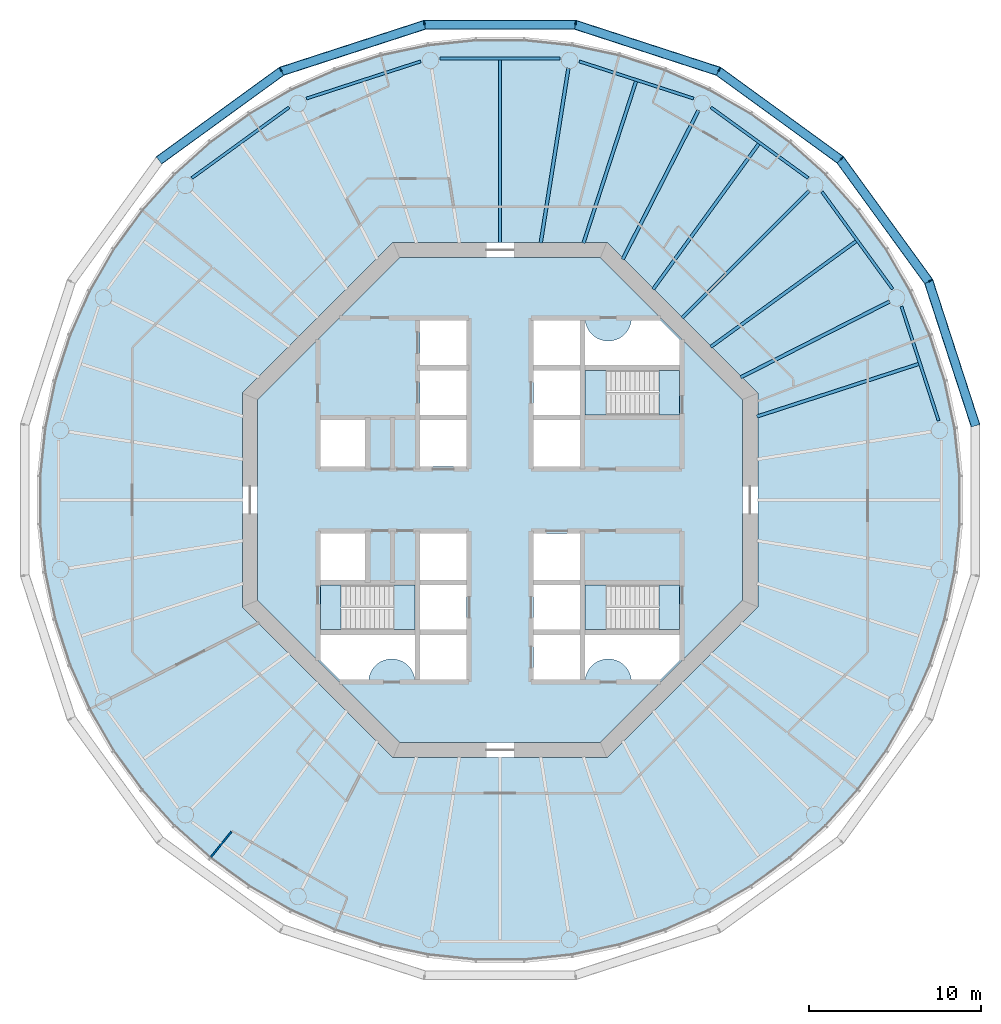
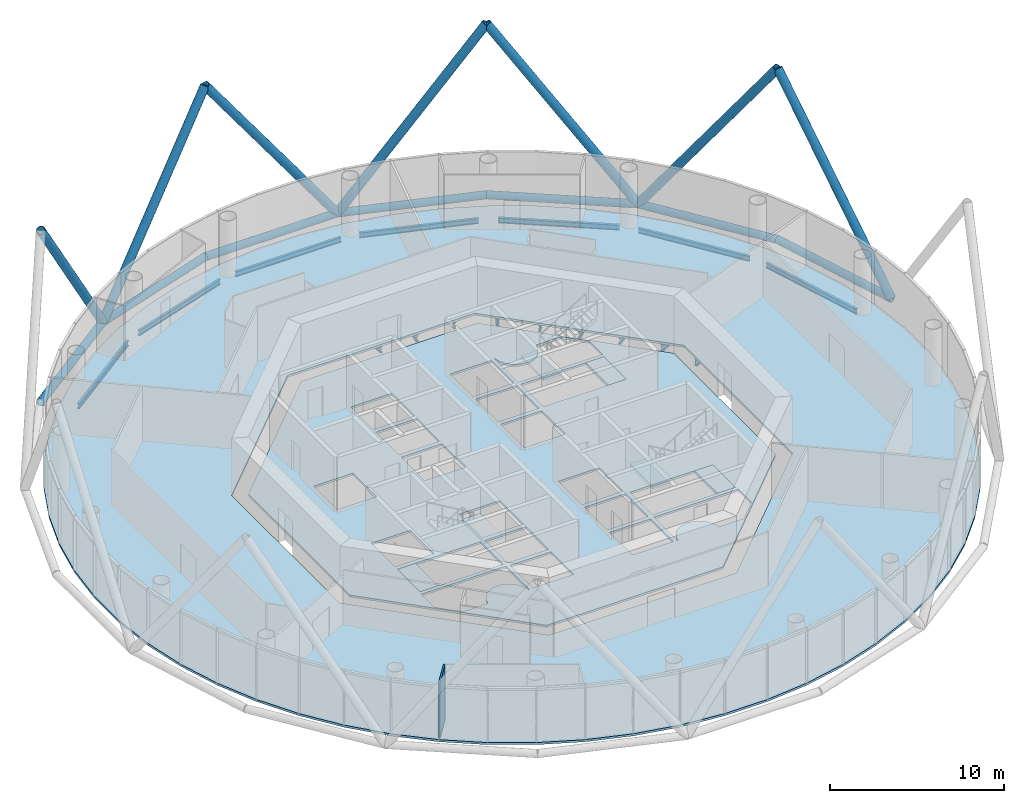
# One storey, part 2 of 12: 16 beams, 14 members, 8 slabs, 1 wall, 3 elements without a shape of their own.
"""IFC4 building model written with IfcOpenShell, lengths in metres."""

from ifc_helpers import new_model, si_unit, direction, frame, frame_2d, origin, origin_2d, place, context, subcontext, project, spatial, polyline, rectangle, circle, hollow_circle, i_section, outline, extrude, material, layer, layer_set, material_profile, profile_set, type_object, element, aggregate, save


model = new_model("IFC4")

# Units and contexts
model_context = context("Model", 3, precision=1e-05, world=origin(), true_north=direction((0.0, 1.0)))
body_context = subcontext(model_context, "Body", "Model", "MODEL_VIEW")
ifc_project = project(units=[si_unit("LENGTHUNIT", "METRE"), si_unit("AREAUNIT", "SQUARE_METRE"), si_unit("VOLUMEUNIT", "CUBIC_METRE"), si_unit("PLANEANGLEUNIT", "RADIAN"), si_unit("MASSUNIT", "GRAM", prefix="KILO")], contexts=[model_context])

# Site, building, storey
site_placement = place(None, origin())
site = spatial("IfcSite", under=ifc_project, at=site_placement, CompositionType="ELEMENT")
building_placement = place(site_placement, origin())
building = spatial("IfcBuilding", under=site, at=building_placement, Name="Entoto Ring Tower", CompositionType="ELEMENT")
storey_placement = place(building_placement, frame((0.0, 0.0, 206.0)))
storey = spatial("IfcBuildingStorey", under=building, at=storey_placement, Name="L47", CompositionType="ELEMENT", Elevation=206.0)

# Members
ifc_material_1 = material(Name="Steel S355", Category="steel")
ifc_material_profile_1 = material_profile(ifc_material_1, hollow_circle(Radius=0.279541015625, WallThickness=0.028076171875, at=origin_2d()), Name="CHS 559 x 28")
ifc_material_2 = material(Name="Concrete C60/75", Category="concrete")
ifc_material_profile_2 = material_profile(ifc_material_2, circle(Radius=0.25146484375, at=origin_2d()), Name="Concrete C60/75 infill")
ifc_profile_set_1 = profile_set([ifc_material_profile_1, ifc_material_profile_2], Name="Steel S355")
member_type_1 = type_object("IfcMemberType", Name="Diagrid diagonal 559 x 28 concrete-filled tube", PredefinedType="BRACE", material=ifc_profile_set_1)
for number, where, z_axis, x_axis, name in (
    (1, (117.6552734375, 84.380126953125, 0.0), (-0.182200752594, 0.56076685453, 0.807677795049), (-0.95105823263, -0.309011711991, 0.0), "DG5A module 15 02"),
    (2, (109.799072265625, 99.799072265625, 0.0), (0.346570479178, -0.477025319356, 0.807673045022), (0.809024012567, 0.587775592458, 0.0), "DG5A module 15 03"),
    (3, (109.799072265625, 99.799072265625, 0.0), (-0.477025319356, 0.346570479178, 0.807673045022), (-0.587775592458, -0.809024012567, 0.0), "DG5A module 15 04"),
    (4, (94.380126953125, 107.6552734375, 0.0), (0.56076685453, -0.182200752594, 0.807677795049), (0.309011711991, 0.95105823263, 0.0), "DG5A module 15 05"),
    (5, (94.380126953125, 107.6552734375, 0.0), (-0.589622651769, 0.0, 0.807678852342), (0.0, -1.0, 0.0), "DG5A module 15 06"),
    (6, (77.288330078125, 104.9482421875, 0.0), (0.56076685453, 0.182200752594, 0.807677795049), (-0.309011711991, 0.95105823263, 0.0), "DG5A module 15 07"),
    (7, (77.288330078125, 104.9482421875, 0.0), (-0.477025319356, -0.346570479178, 0.807673045022), (0.587775592458, -0.809024012567, 0.0), "DG5A module 15 08"),
):
    element("IfcMember", number, at=place(storey_placement, frame(where, z_axis=z_axis, x_axis=x_axis)), inside=storey, type_object=member_type_1, Name=name, PredefinedType="BRACE", context=body_context, shape_type="SweptSolid", body=[
        extrude(hollow_circle(Radius=0.279541015625, WallThickness=0.028076171875, at=origin_2d()), origin(), (0.0, 0.0, 1.0), 14.857421875),
    ])
ifc_material_3 = material(Name="Steel S355", Category="steel")
ifc_material_profile_3 = material_profile(ifc_material_3, hollow_circle(Radius=0.25390625, WallThickness=0.030029296875, at=origin_2d()), Name="CHS 508 x 30")
ifc_material_4 = material(Name="Concrete C60/75", Category="concrete")
ifc_material_profile_4 = material_profile(ifc_material_4, circle(Radius=0.22412109375, at=origin_2d()), Name="Concrete C60/75 infill")
ifc_profile_set_2 = profile_set([ifc_material_profile_3, ifc_material_profile_4], Name="Steel S355")
member_type_2 = type_object("IfcMemberType", Name="Diagrid ring beam 508 x 30", PredefinedType="CHORD", material=ifc_profile_set_2)
for number, where, z_axis, x_axis, name in (
    (8, (117.673828125, 84.322998046875, 0.0), (-0.309002151976, 0.951061338755, 0.0), (-0.951061338755, -0.309002151976, 0.0), "DR2 ring 14 01"),
    (9, (114.983642578125, 92.6630859375, 0.0), (-0.587790766961, 0.809012987705, 0.0), (-0.809012987705, -0.587790766961, 0.0), "DR2 ring 14 02"),
    (10, (109.84765625, 99.763671875, 0.0), (-0.809012987705, 0.587790766961, 0.0), (-0.587790766961, -0.809012987705, 0.0), "DR2 ring 14 03"),
    (11, (102.76904296875, 104.9296875, 0.0), (-0.951061338755, 0.309002151976, 0.0), (-0.309002151976, -0.951061338755, 0.0), "DR2 ring 14 04"),
):
    element("IfcMember", number, at=place(storey_placement, frame(where, z_axis=z_axis, x_axis=x_axis)), inside=storey, type_object=member_type_2, Name=name, PredefinedType="CHORD", context=body_context, shape_type="SweptSolid", body=[
        extrude(hollow_circle(Radius=0.25390625, WallThickness=0.030029296875, at=origin_2d()), origin(), (0.0, 0.0, 1.0), 8.880615234375),
    ])
member_placement = place(storey_placement, frame((94.4404296875, 107.6552734375, 0.0), z_axis=(-1.0, 0.0, 0.0), x_axis=(0.0, -1.0, 0.0)))
element("IfcMember", 12, at=member_placement, inside=storey, type_object=member_type_2, Name="DR2 ring 14 05", PredefinedType="CHORD", context=body_context, shape_type="SweptSolid", body=[
    extrude(hollow_circle(Radius=0.25390625, WallThickness=0.030029296875, at=origin_2d()), origin(), (0.0, 0.0, 1.0), 8.880859375),
])
for number, where, z_axis, x_axis, name in (
    (13, (85.677001953125, 107.673828125, 0.0), (-0.951061338755, -0.309002151976, 0.0), (0.309002151976, -0.951061338755, 0.0), "DR2 ring 14 06"),
    (14, (77.3369140625, 104.983642578125, 0.0), (-0.809012987705, -0.587790766961, 0.0), (0.587790766961, -0.809012987705, 0.0), "DR2 ring 14 07"),
):
    element("IfcMember", number, at=place(storey_placement, frame(where, z_axis=z_axis, x_axis=x_axis)), inside=storey, type_object=member_type_2, Name=name, PredefinedType="CHORD", context=body_context, shape_type="SweptSolid", body=[
        extrude(hollow_circle(Radius=0.25390625, WallThickness=0.030029296875, at=origin_2d()), origin(), (0.0, 0.0, 1.0), 8.880615234375),
    ])

# Beams
ifc_material_5 = material(Name="Steel S355", Category="steel")
ifc_material_profile_5 = material_profile(ifc_material_5, i_section(OverallWidth=0.169921875, OverallDepth=0.360107421875, WebThickness=0.008056640625, FlangeThickness=0.0126953125, FilletRadius=0.01806640625, at=origin_2d()), Name="IPE 360")
ifc_profile_set_3 = profile_set([ifc_material_profile_5], Name="Steel S355")
beam_type_1 = type_object("IfcBeamType", Name="Edge beam IPE 360", PredefinedType="SPANDREL", material=ifc_profile_set_3)
for number, where, z_axis, x_axis, name in (
    (15, (115.523193359375, 84.616455078125, -0.330078125), (-0.308992134367, 0.951064593442, 0.0), (-0.951064593442, -0.308992134367, 0.0), "Edge beam L47 01"),
    (16, (112.84765625, 92.277587890625, -0.330078125), (-0.587787616177, 0.809015276907, 0.0), (-0.809015276907, -0.587787616177, 0.0), "Edge beam L47 02"),
    (17, (107.935302734375, 98.737060546875, -0.330078125), (-0.809015276907, 0.587787616177, 0.0), (-0.587787616177, -0.809015276907, 0.0), "Edge beam L47 03"),
    (18, (101.267578125, 103.3623046875, -0.330078125), (-0.951064593442, 0.308992134367, 0.0), (-0.308992134367, -0.951064593442, 0.0), "Edge beam L47 04"),
):
    element("IfcBeam", number, at=place(storey_placement, frame(where, z_axis=z_axis, x_axis=x_axis)), inside=storey, type_object=beam_type_1, Name=name, PredefinedType="SPANDREL", context=body_context, shape_type="SweptSolid", body=[
        extrude(i_section(OverallWidth=0.169921875, OverallDepth=0.360107421875, WebThickness=0.008056640625, FlangeThickness=0.0126953125, FilletRadius=0.01806640625, at=origin_2d()), origin(), (0.0, 0.0, 1.0), 6.993408203125),
    ])
beam_1_placement = place(storey_placement, frame((93.49658203125, 105.70068359375, -0.330078125), z_axis=(-1.0, 0.0, 0.0), x_axis=(0.0, -1.0, 0.0)))
element("IfcBeam", 19, at=beam_1_placement, inside=storey, type_object=beam_type_1, Name="Edge beam L47 05", PredefinedType="SPANDREL", context=body_context, shape_type="SweptSolid", body=[
    extrude(i_section(OverallWidth=0.169921875, OverallDepth=0.360107421875, WebThickness=0.008056640625, FlangeThickness=0.0126953125, FilletRadius=0.01806640625, at=origin_2d()), origin(), (0.0, 0.0, 1.0), 6.9931640625),
])
for number, where, z_axis, x_axis, name in (
    (20, (85.383544921875, 105.523193359375, -0.330078125), (-0.951064593442, -0.308992134367, 0.0), (0.308992134367, -0.951064593442, 0.0), "Edge beam L47 06"),
    (21, (77.722412109375, 102.84765625, -0.330078125), (-0.809015276907, -0.587787616177, 0.0), (0.587787616177, -0.809015276907, 0.0), "Edge beam L47 07"),
):
    element("IfcBeam", number, at=place(storey_placement, frame(where, z_axis=z_axis, x_axis=x_axis)), inside=storey, type_object=beam_type_1, Name=name, PredefinedType="SPANDREL", context=body_context, shape_type="SweptSolid", body=[
        extrude(i_section(OverallWidth=0.169921875, OverallDepth=0.360107421875, WebThickness=0.008056640625, FlangeThickness=0.0126953125, FilletRadius=0.01806640625, at=origin_2d()), origin(), (0.0, 0.0, 1.0), 6.993408203125),
    ])
ifc_material_6 = material(Name="Steel S355", Category="steel")
ifc_material_profile_6 = material_profile(ifc_material_6, i_section(OverallWidth=0.199951171875, OverallDepth=0.5, WebThickness=0.01025390625, FlangeThickness=0.01611328125, FilletRadius=0.02099609375, at=origin_2d()), Name="IPE 500")
ifc_profile_set_4 = profile_set([ifc_material_profile_6], Name="Steel S355")
beam_type_2 = type_object("IfcBeamType", Name="Primary floor beam IPE 500", PredefinedType="BEAM", material=ifc_profile_set_4)
beam_2_placement = place(storey_placement, frame((104.006103515625, 87.136474609375, -0.39990234375), z_axis=(0.891009583477, 0.453984495498, 0.0), x_axis=(-0.453984495498, 0.891009583477, 0.0)))
element("IfcBeam", 22, at=beam_2_placement, inside=storey, type_object=beam_type_2, Name="Primary L47 R02", PredefinedType="BEAM", context=body_context, shape_type="SweptSolid", body=[
    extrude(i_section(OverallWidth=0.199951171875, OverallDepth=0.5, WebThickness=0.01025390625, FlangeThickness=0.01611328125, FilletRadius=0.02099609375, at=origin_2d()), origin(), (0.0, 0.0, 1.0), 9.717041015625),
])
beam_3_placement = place(storey_placement, frame((100.592529296875, 90.592529296875, -0.39990234375), z_axis=(0.707106781187, 0.707106781187, 0.0), x_axis=(-0.707106781187, 0.707106781187, 0.0)))
element("IfcBeam", 23, at=beam_3_placement, inside=storey, type_object=beam_type_2, Name="Primary L47 R03", PredefinedType="BEAM", context=body_context, shape_type="SweptSolid", body=[
    extrude(i_section(OverallWidth=0.199951171875, OverallDepth=0.5, WebThickness=0.01025390625, FlangeThickness=0.01611328125, FilletRadius=0.02099609375, at=origin_2d()), origin(), (0.0, 0.0, 1.0), 10.456298828125),
])
beam_4_placement = place(storey_placement, frame((97.136474609375, 94.006103515625, -0.39990234375), z_axis=(0.453984495498, 0.891009583477, 0.0), x_axis=(-0.891009583477, 0.453984495498, 0.0)))
element("IfcBeam", 24, at=beam_4_placement, inside=storey, type_object=beam_type_2, Name="Primary L47 R04", PredefinedType="BEAM", context=body_context, shape_type="SweptSolid", body=[
    extrude(i_section(OverallWidth=0.199951171875, OverallDepth=0.5, WebThickness=0.01025390625, FlangeThickness=0.01611328125, FilletRadius=0.02099609375, at=origin_2d()), origin(), (0.0, 0.0, 1.0), 9.717041015625),
])
beam_5_placement = place(storey_placement, frame((92.3701171875, 94.964599609375, -0.39990234375), z_axis=(0.156448901274, 0.987686054012, 0.0), x_axis=(-0.987686054012, 0.156448901274, 0.0)))
element("IfcBeam", 25, at=beam_5_placement, inside=storey, type_object=beam_type_2, Name="Primary L47 R05", PredefinedType="BEAM", context=body_context, shape_type="SweptSolid", body=[
    extrude(i_section(OverallWidth=0.199951171875, OverallDepth=0.5, WebThickness=0.01025390625, FlangeThickness=0.01611328125, FilletRadius=0.02099609375, at=origin_2d()), origin(), (0.0, 0.0, 1.0), 10.285400390625),
])
ifc_material_7 = material(Name="Steel S355", Category="steel")
ifc_material_profile_7 = material_profile(ifc_material_7, i_section(OverallWidth=0.18994140625, OverallDepth=0.449951171875, WebThickness=0.009521484375, FlangeThickness=0.0146484375, FilletRadius=0.02099609375, at=origin_2d()), Name="IPE 450")
ifc_profile_set_5 = profile_set([ifc_material_profile_7], Name="Steel S355")
beam_type_3 = type_object("IfcBeamType", Name="Secondary floor beam IPE 450", PredefinedType="JOIST", material=ifc_profile_set_5)
beam_6_placement = place(storey_placement, frame((104.95166015625, 84.858154296875, -0.375), z_axis=(0.951054375377, 0.309023583365, 0.0), x_axis=(-0.309023583365, 0.951054375377, 0.0)))
element("IfcBeam", 26, at=beam_6_placement, inside=storey, type_object=beam_type_3, Name="Secondary beam L47 01", PredefinedType="JOIST", context=body_context, shape_type="SweptSolid", body=[
    extrude(i_section(OverallWidth=0.18994140625, OverallDepth=0.449951171875, WebThickness=0.009521484375, FlangeThickness=0.0146484375, FilletRadius=0.02099609375, at=origin_2d()), origin(), (0.0, 0.0, 1.0), 9.89453125),
])
for number, where, z_axis, x_axis, name in (
    (27, (102.258056640625, 88.906005859375, -0.375), (0.809018499045, 0.587783181287, 0.0), (-0.587783181287, 0.809018499045, 0.0), "Secondary beam L47 02"),
    (28, (98.906005859375, 92.258056640625, -0.375), (0.587783181287, 0.809018499045, 0.0), (-0.809018499045, 0.587783181287, 0.0), "Secondary beam L47 03"),
):
    element("IfcBeam", number, at=place(storey_placement, frame(where, z_axis=z_axis, x_axis=x_axis)), inside=storey, type_object=beam_type_3, Name=name, PredefinedType="JOIST", context=body_context, shape_type="SweptSolid", body=[
        extrude(i_section(OverallWidth=0.18994140625, OverallDepth=0.449951171875, WebThickness=0.009521484375, FlangeThickness=0.0146484375, FilletRadius=0.02099609375, at=origin_2d()), origin(), (0.0, 0.0, 1.0), 10.463623046875),
    ])
beam_7_placement = place(storey_placement, frame((94.858154296875, 94.95166015625, -0.375), z_axis=(0.309023583365, 0.951054375377, 0.0), x_axis=(-0.951054375377, 0.309023583365, 0.0)))
element("IfcBeam", 29, at=beam_7_placement, inside=storey, type_object=beam_type_3, Name="Secondary beam L47 04", PredefinedType="JOIST", context=body_context, shape_type="SweptSolid", body=[
    extrude(i_section(OverallWidth=0.18994140625, OverallDepth=0.449951171875, WebThickness=0.009521484375, FlangeThickness=0.0146484375, FilletRadius=0.02099609375, at=origin_2d()), origin(), (0.0, 0.0, 1.0), 9.89453125),
])
beam_8_placement = place(storey_placement, frame((90.0, 94.97998046875, -0.375), z_axis=(0.0, 1.0, 0.0), x_axis=(-1.0, 0.0, 0.0)))
element("IfcBeam", 30, at=beam_8_placement, inside=storey, type_object=beam_type_3, Name="Secondary beam L47 05", PredefinedType="JOIST", context=body_context, shape_type="SweptSolid", body=[
    extrude(i_section(OverallWidth=0.18994140625, OverallDepth=0.449951171875, WebThickness=0.009521484375, FlangeThickness=0.0146484375, FilletRadius=0.02099609375, at=origin_2d()), origin(), (0.0, 0.0, 1.0), 10.6357421875),
])

# Slabs
ifc_material_8 = material(Name="Concrete C30/37", Category="concrete")
ifc_layer_1 = layer(ifc_material_8, 0.14990234375)
ifc_layer_set_1 = layer_set([ifc_layer_1], Name="Concrete C30/37")
slab_type_1 = type_object("IfcSlabType", Name="Composite floor slab 150 mm", PredefinedType="FLOOR", material=ifc_layer_set_1)
slab_1_placement = place(storey_placement, frame((0.0, 0.0, -0.14990234375)))
element("IfcSlab", 31, at=slab_1_placement, inside=storey, type_object=slab_type_1, Name="Floor slab L47", PredefinedType="FLOOR", context=body_context, shape_type="SweptSolid", body=[
    extrude(outline(polyline([(116.56884765625, 84.2080078125), (115.9833984375, 86.962158203125), (115.11328125, 89.64013671875), (113.968017578125, 92.21240234375), (112.560302734375, 94.65087890625), (110.9052734375, 96.9287109375), (109.021240234375, 99.021240234375), (106.9287109375, 100.9052734375), (104.65087890625, 102.560302734375), (102.21240234375, 103.968017578125), (99.64013671875, 105.11328125), (96.962158203125, 105.9833984375), (94.2080078125, 106.56884765625), (91.407958984375, 106.863037109375), (88.592041015625, 106.863037109375), (85.7919921875, 106.56884765625), (83.037841796875, 105.9833984375), (80.35986328125, 105.11328125), (77.78759765625, 103.968017578125), (75.34912109375, 102.560302734375), (73.0712890625, 100.9052734375), (70.978759765625, 99.021240234375), (69.0947265625, 96.9287109375), (67.439697265625, 94.65087890625), (66.031982421875, 92.21240234375), (64.88671875, 89.64013671875), (64.0166015625, 86.962158203125), (63.43115234375, 84.2080078125), (63.136962890625, 81.407958984375), (63.136962890625, 78.592041015625), (63.43115234375, 75.7919921875), (64.0166015625, 73.037841796875), (64.88671875, 70.35986328125), (66.031982421875, 67.78759765625), (67.439697265625, 65.34912109375), (69.0947265625, 63.0712890625), (70.978759765625, 60.978759765625), (73.0712890625, 59.0947265625), (75.34912109375, 57.439697265625), (77.78759765625, 56.031982421875), (80.35986328125, 54.88671875), (83.037841796875, 54.0166015625), (85.7919921875, 53.43115234375), (88.592041015625, 53.136962890625), (91.407958984375, 53.136962890625), (94.2080078125, 53.43115234375), (96.962158203125, 54.0166015625), (99.64013671875, 54.88671875), (102.21240234375, 56.031982421875), (104.65087890625, 57.439697265625), (106.9287109375, 59.0947265625), (109.021240234375, 60.978759765625), (110.9052734375, 63.0712890625), (112.560302734375, 65.34912109375), (113.968017578125, 67.78759765625), (115.11328125, 70.35986328125), (115.9833984375, 73.037841796875), (116.56884765625, 75.7919921875), (116.863037109375, 78.592041015625), (116.863037109375, 81.407958984375), (116.56884765625, 84.2080078125)]), holes=[polyline([(105.0, 73.786865234375), (105.0, 86.213134765625), (96.213134765625, 95.0), (83.786865234375, 95.0), (75.0, 86.213134765625), (75.0, 73.786865234375), (83.786865234375, 65.0), (96.213134765625, 65.0), (105.0, 73.786865234375)])]), origin(), (0.0, 0.0, 1.0), 0.14990234375),
])
ifc_material_9 = material(Name="Concrete C40/50", Category="concrete")
ifc_layer_2 = layer(ifc_material_9, 0.14990234375)
ifc_layer_set_2 = layer_set([ifc_layer_2], Name="Concrete C40/50")
slab_type_2 = type_object("IfcSlabType", Name="Core floor slab 150 mm reinforced concrete C40/50", PredefinedType="FLOOR", material=ifc_layer_set_2)
slab_2_placement = place(storey_placement, frame((0.0, 0.0, -0.14990234375)))
element("IfcSlab", 32, at=slab_2_placement, inside=storey, type_object=slab_type_2, Name="Core floor L47", PredefinedType="FLOOR", context=body_context, shape_type="SweptSolid", body=[
    extrude(outline(polyline([(104.10009765625, 74.15966796875), (104.10009765625, 85.84033203125), (95.84033203125, 94.10009765625), (84.15966796875, 94.10009765625), (75.89990234375, 85.84033203125), (75.89990234375, 74.15966796875), (84.15966796875, 65.89990234375), (95.84033203125, 65.89990234375), (104.10009765625, 74.15966796875)]), holes=[polyline([(100.449951171875, 84.949951171875), (100.449951171875, 87.550048828125), (94.949951171875, 87.550048828125), (94.949951171875, 84.949951171875), (100.449951171875, 84.949951171875)]), polyline([(85.050048828125, 72.449951171875), (85.050048828125, 75.050048828125), (79.550048828125, 75.050048828125), (79.550048828125, 72.449951171875), (85.050048828125, 72.449951171875)]), polyline([(100.449951171875, 72.449951171875), (100.449951171875, 75.050048828125), (94.949951171875, 75.050048828125), (94.949951171875, 72.449951171875), (100.449951171875, 72.449951171875)]), polyline([(91.949951171875, 84.949951171875), (94.64990234375, 84.949951171875), (94.64990234375, 87.550048828125), (91.949951171875, 87.550048828125), (91.949951171875, 84.949951171875)]), polyline([(91.949951171875, 72.449951171875), (94.64990234375, 72.449951171875), (94.64990234375, 75.050048828125), (91.949951171875, 75.050048828125), (91.949951171875, 72.449951171875)]), polyline([(91.949951171875, 69.550048828125), (94.64990234375, 69.550048828125), (94.64990234375, 72.14990234375), (91.949951171875, 72.14990234375), (91.949951171875, 69.550048828125)]), polyline([(85.35009765625, 72.449951171875), (88.050048828125, 72.449951171875), (88.050048828125, 75.050048828125), (85.35009765625, 75.050048828125), (85.35009765625, 72.449951171875)]), polyline([(85.35009765625, 81.949951171875), (88.050048828125, 81.949951171875), (88.050048828125, 84.64990234375), (85.35009765625, 84.64990234375), (85.35009765625, 81.949951171875)]), polyline([(91.949951171875, 75.35009765625), (94.64990234375, 75.35009765625), (94.64990234375, 78.050048828125), (91.949951171875, 78.050048828125), (91.949951171875, 75.35009765625)]), polyline([(79.550048828125, 81.949951171875), (82.14990234375, 81.949951171875), (82.14990234375, 84.64990234375), (79.550048828125, 84.64990234375), (79.550048828125, 81.949951171875)]), polyline([(79.550048828125, 75.35009765625), (82.14990234375, 75.35009765625), (82.14990234375, 78.050048828125), (79.550048828125, 78.050048828125), (79.550048828125, 75.35009765625)]), polyline([(91.949951171875, 87.85009765625), (94.64990234375, 87.85009765625), (94.64990234375, 90.449951171875), (91.949951171875, 90.449951171875), (91.949951171875, 87.85009765625)]), polyline([(85.35009765625, 69.550048828125), (88.050048828125, 69.550048828125), (88.050048828125, 72.14990234375), (85.35009765625, 72.14990234375), (85.35009765625, 69.550048828125)]), polyline([(91.949951171875, 81.949951171875), (94.64990234375, 81.949951171875), (94.64990234375, 84.64990234375), (91.949951171875, 84.64990234375), (91.949951171875, 81.949951171875)]), polyline([(85.35009765625, 75.35009765625), (88.050048828125, 75.35009765625), (88.050048828125, 78.050048828125), (85.35009765625, 78.050048828125), (85.35009765625, 75.35009765625)]), polyline([(85.35009765625, 84.949951171875), (88.050048828125, 84.949951171875), (88.050048828125, 87.550048828125), (85.35009765625, 87.550048828125), (85.35009765625, 84.949951171875)]), polyline([(85.35009765625, 87.85009765625), (88.050048828125, 87.85009765625), (88.050048828125, 90.449951171875), (85.35009765625, 90.449951171875), (85.35009765625, 87.85009765625)]), polyline([(94.89990234375, 90.5), (94.89990234375, 87.800048828125), (100.5, 87.800048828125), (100.5, 89.299072265625), (99.299072265625, 90.5), (97.64501953125, 90.5), (97.6435546875, 90.4677734375), (97.6240234375, 90.336669921875), (97.591796875, 90.2080078125), (97.547119140625, 90.08349609375), (97.490478515625, 89.963623046875), (97.422607421875, 89.85009765625), (97.343505859375, 89.74365234375), (97.254638671875, 89.6455078125), (97.156494140625, 89.556396484375), (97.050048828125, 89.4775390625), (96.936279296875, 89.409423828125), (96.816650390625, 89.352783203125), (96.69189453125, 89.30810546875), (96.5634765625, 89.27587890625), (96.432373046875, 89.256591796875), (96.300048828125, 89.25), (96.167724609375, 89.256591796875), (96.03662109375, 89.27587890625), (95.908203125, 89.30810546875), (95.783447265625, 89.352783203125), (95.66357421875, 89.409423828125), (95.550048828125, 89.4775390625), (95.443603515625, 89.556396484375), (95.345458984375, 89.6455078125), (95.25634765625, 89.74365234375), (95.177490234375, 89.85009765625), (95.109375, 89.963623046875), (95.052734375, 90.08349609375), (95.008056640625, 90.2080078125), (94.975830078125, 90.336669921875), (94.95654296875, 90.4677734375), (94.954833984375, 90.5), (94.89990234375, 90.5)]), polyline([(79.5, 70.700927734375), (80.700927734375, 69.5), (82.35498046875, 69.5), (82.3564453125, 69.5322265625), (82.3759765625, 69.663330078125), (82.408203125, 69.7919921875), (82.452880859375, 69.91650390625), (82.509521484375, 70.036376953125), (82.577392578125, 70.14990234375), (82.656494140625, 70.25634765625), (82.745361328125, 70.3544921875), (82.843505859375, 70.443603515625), (82.949951171875, 70.5224609375), (83.063720703125, 70.590576171875), (83.183349609375, 70.647216796875), (83.30810546875, 70.69189453125), (83.4365234375, 70.72412109375), (83.567626953125, 70.743408203125), (83.699951171875, 70.75), (83.832275390625, 70.743408203125), (83.96337890625, 70.72412109375), (84.091796875, 70.69189453125), (84.216552734375, 70.647216796875), (84.33642578125, 70.590576171875), (84.449951171875, 70.5224609375), (84.556396484375, 70.443603515625), (84.654541015625, 70.3544921875), (84.74365234375, 70.25634765625), (84.822509765625, 70.14990234375), (84.890625, 70.036376953125), (84.947265625, 69.91650390625), (84.991943359375, 69.7919921875), (85.024169921875, 69.663330078125), (85.04345703125, 69.5322265625), (85.045166015625, 69.5), (85.10009765625, 69.5), (85.10009765625, 72.199951171875), (79.5, 72.199951171875), (79.5, 70.700927734375)]), polyline([(97.64501953125, 69.5), (99.299072265625, 69.5), (100.5, 70.700927734375), (100.5, 72.199951171875), (94.89990234375, 72.199951171875), (94.89990234375, 69.5), (94.954833984375, 69.5), (94.95654296875, 69.5322265625), (94.975830078125, 69.663330078125), (95.008056640625, 69.7919921875), (95.052734375, 69.91650390625), (95.109375, 70.036376953125), (95.177490234375, 70.14990234375), (95.25634765625, 70.25634765625), (95.345458984375, 70.3544921875), (95.443603515625, 70.443603515625), (95.550048828125, 70.5224609375), (95.66357421875, 70.590576171875), (95.783447265625, 70.647216796875), (95.908203125, 70.69189453125), (96.03662109375, 70.72412109375), (96.167724609375, 70.743408203125), (96.300048828125, 70.75), (96.432373046875, 70.743408203125), (96.5634765625, 70.72412109375), (96.69189453125, 70.69189453125), (96.816650390625, 70.647216796875), (96.936279296875, 70.590576171875), (97.050048828125, 70.5224609375), (97.156494140625, 70.443603515625), (97.254638671875, 70.3544921875), (97.343505859375, 70.25634765625), (97.422607421875, 70.14990234375), (97.490478515625, 70.036376953125), (97.547119140625, 69.91650390625), (97.591796875, 69.7919921875), (97.6240234375, 69.663330078125), (97.6435546875, 69.5322265625), (97.64501953125, 69.5)])]), origin(), (0.0, 0.0, 1.0), 0.14990234375),
])

# Stair, slabs
ifc_material_10 = material(Name="Concrete C40/50", Category="concrete")
stair_type = type_object("IfcStairType", Name="Exit stair 1200 mm dog-leg reinforced concrete", PredefinedType="HALF_TURN_STAIR", material=ifc_material_10)
stair_1_placement = place(storey_placement, origin())
stair_1 = element("IfcStair", 33, at=stair_1_placement, inside=storey, type_object=stair_type, Name="Exit stair 1", PredefinedType="HALF_TURN_STAIR")
ifc_material_11 = material(Name="Concrete C40/50", Category="concrete")
ifc_layer_3 = layer(ifc_material_11, 0.199951171875)
ifc_layer_set_3 = layer_set([ifc_layer_3], Name="Concrete C40/50")
slab_type_3 = type_object("IfcSlabType", Name="Stair landing 200 mm reinforced concrete", PredefinedType="LANDING", material=ifc_layer_set_3)
slab_3_placement = place(storey_placement, frame((0.0, 0.0, -0.199951171875)))
slab_3 = element("IfcSlab", 34, at=slab_3_placement, type_object=slab_type_3, Name="ST1 landing 1", PredefinedType="LANDING", context=body_context, shape_type="SweptSolid", body=[
    extrude(outline(polyline([(100.449951171875, 84.949951171875), (100.449951171875, 87.550048828125), (99.25, 87.550048828125), (99.25, 84.949951171875), (100.449951171875, 84.949951171875)])), origin(), (0.0, 0.0, 1.0), 0.199951171875),
])
slab_4_placement = place(storey_placement, frame((0.0, 0.0, 1.800048828125)))
slab_4 = element("IfcSlab", 35, at=slab_4_placement, type_object=slab_type_3, Name="ST1 landing 2", PredefinedType="LANDING", context=body_context, shape_type="SweptSolid", body=[
    extrude(outline(polyline([(94.949951171875, 84.949951171875), (96.169921875, 84.949951171875), (96.169921875, 87.550048828125), (94.949951171875, 87.550048828125), (94.949951171875, 84.949951171875)])), origin(), (0.0, 0.0, 1.0), 0.199951171875),
])
aggregate(stair_1, [slab_3, slab_4])

stair_2_placement = place(storey_placement, origin())
stair_2 = element("IfcStair", 36, at=stair_2_placement, inside=storey, type_object=stair_type, Name="Exit stair 2", PredefinedType="HALF_TURN_STAIR")
slab_5_placement = place(storey_placement, frame((0.0, 0.0, -0.199951171875)))
slab_5 = element("IfcSlab", 37, at=slab_5_placement, type_object=slab_type_3, Name="ST2 landing 1", PredefinedType="LANDING", context=body_context, shape_type="SweptSolid", body=[
    extrude(outline(polyline([(80.75, 72.449951171875), (80.75, 75.050048828125), (79.550048828125, 75.050048828125), (79.550048828125, 72.449951171875), (80.75, 72.449951171875)])), origin(), (0.0, 0.0, 1.0), 0.199951171875),
])
slab_6_placement = place(storey_placement, frame((0.0, 0.0, 1.800048828125)))
slab_6 = element("IfcSlab", 38, at=slab_6_placement, type_object=slab_type_3, Name="ST2 landing 2", PredefinedType="LANDING", context=body_context, shape_type="SweptSolid", body=[
    extrude(outline(polyline([(83.830078125, 72.449951171875), (85.050048828125, 72.449951171875), (85.050048828125, 75.050048828125), (83.830078125, 75.050048828125), (83.830078125, 72.449951171875)])), origin(), (0.0, 0.0, 1.0), 0.199951171875),
])
aggregate(stair_2, [slab_5, slab_6])

stair_3_placement = place(storey_placement, origin())
stair_3 = element("IfcStair", 39, at=stair_3_placement, inside=storey, type_object=stair_type, Name="Exit stair 3", PredefinedType="HALF_TURN_STAIR")
slab_7_placement = place(storey_placement, frame((0.0, 0.0, -0.199951171875)))
slab_7 = element("IfcSlab", 40, at=slab_7_placement, type_object=slab_type_3, Name="ST3 landing 1", PredefinedType="LANDING", context=body_context, shape_type="SweptSolid", body=[
    extrude(outline(polyline([(100.449951171875, 72.449951171875), (100.449951171875, 75.050048828125), (99.25, 75.050048828125), (99.25, 72.449951171875), (100.449951171875, 72.449951171875)])), origin(), (0.0, 0.0, 1.0), 0.199951171875),
])
slab_8_placement = place(storey_placement, frame((0.0, 0.0, 1.800048828125)))
slab_8 = element("IfcSlab", 41, at=slab_8_placement, type_object=slab_type_3, Name="ST3 landing 2", PredefinedType="LANDING", context=body_context, shape_type="SweptSolid", body=[
    extrude(outline(polyline([(94.949951171875, 72.449951171875), (96.169921875, 72.449951171875), (96.169921875, 75.050048828125), (94.949951171875, 75.050048828125), (94.949951171875, 72.449951171875)])), origin(), (0.0, 0.0, 1.0), 0.199951171875),
])
aggregate(stair_3, [slab_7, slab_8])

# Wall
ifc_material_12 = material(Name="Plasterboard on steel studs", Category="steel")
ifc_layer_4 = layer(ifc_material_12, 0.10009765625)
ifc_layer_set_4 = layer_set([ifc_layer_4], Name="Plasterboard on steel studs")
wall_type = type_object("IfcWallType", Name="Partition 100 mm plasterboard on steel studs", PredefinedType="PARTITIONING", material=ifc_layer_set_4)
wall_placement = place(storey_placement, frame((73.172119140625, 59.218994140625, 0.0), z_axis=(0.0, 0.0, 1.0), x_axis=(0.629249683907, 0.777203213646, 0.0)))
element("IfcWall", 42, at=wall_placement, inside=storey, type_object=wall_type, Name="partition-L47-031", PredefinedType="PARTITIONING", context=body_context, shape_type="SweptSolid", body=[
    extrude(rectangle(XDim=1.910888671875, YDim=0.10009765625, at=frame_2d((0.95556640625, 0.0))), origin(), (0.0, 0.0, 1.0), 3.85009765625),
])

save(model, "model.ifc")
